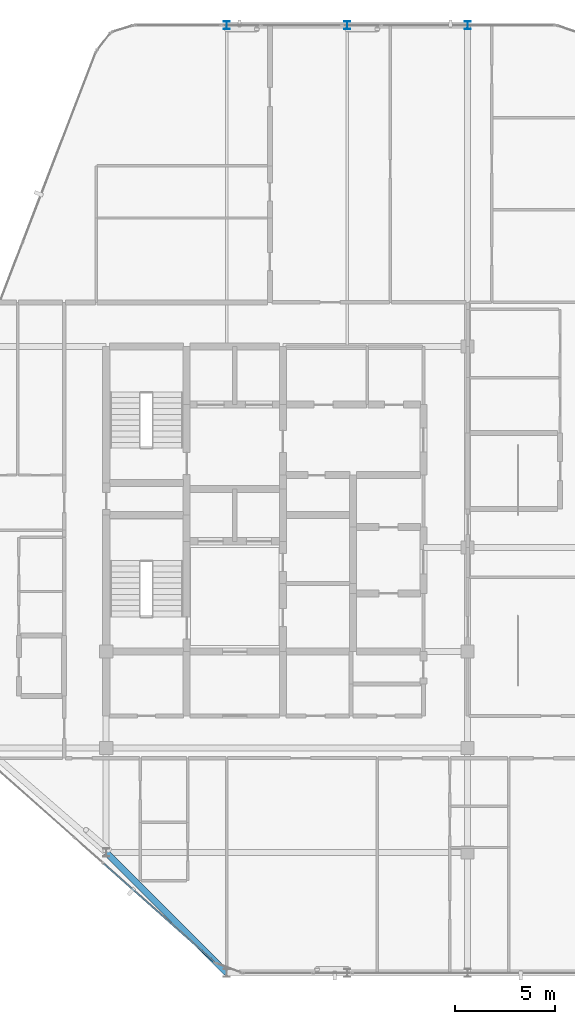
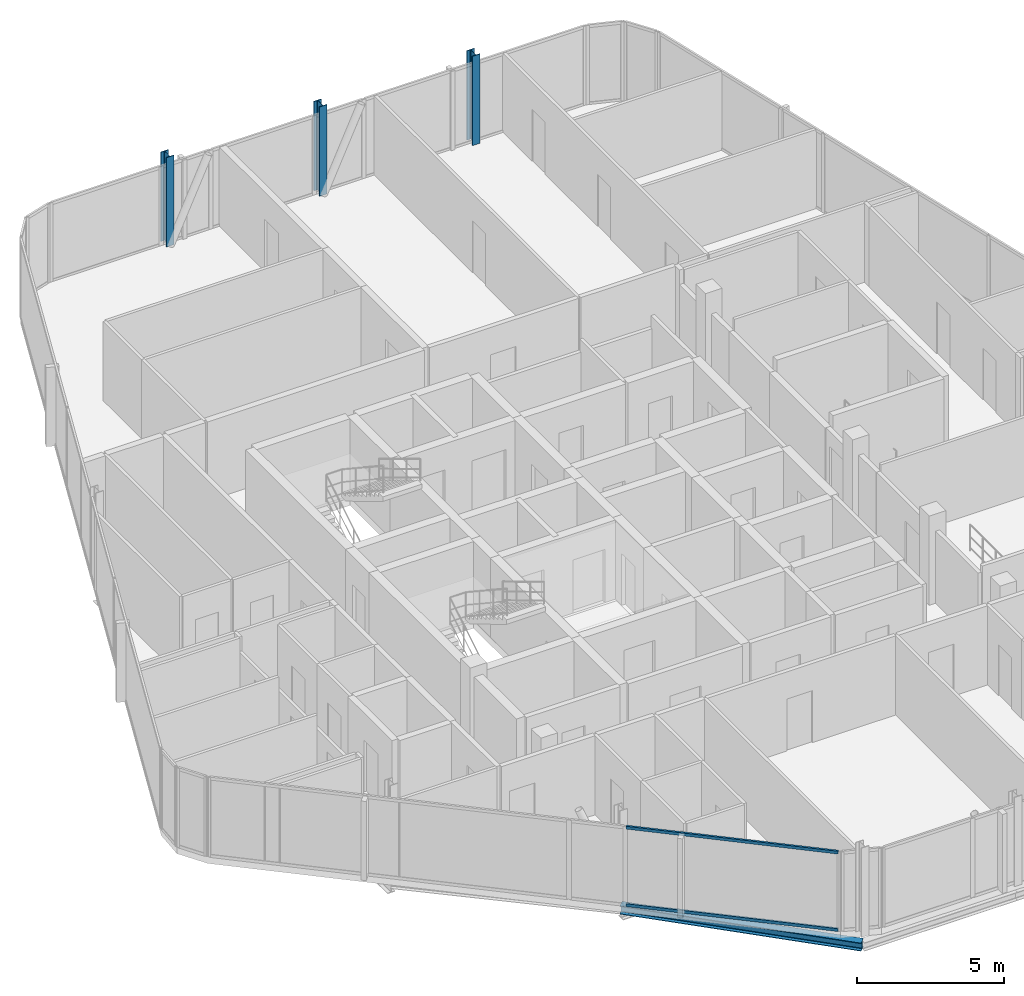
# One storey, part 2 of 27: 3 columns, 2 members, 1 beam, 1 element without a shape of its own.
"""IFC4 building model written with IfcOpenShell, lengths in metres."""

from ifc_helpers import new_model, si_unit, direction, frame, origin, origin_2d, place, context, subcontext, project, spatial, hollow_rectangle, i_section, extrude, material, layer, layer_set, material_profile, profile_set, type_object, element, aggregate, save


model = new_model("IFC4")

# Units and contexts
model_context = context("Model", 3, precision=1e-05, world=origin(), true_north=direction((0.0, 1.0)))
body_context = subcontext(model_context, "Body", "Model", "MODEL_VIEW")
ifc_project = project(units=[si_unit("LENGTHUNIT", "METRE"), si_unit("AREAUNIT", "SQUARE_METRE"), si_unit("VOLUMEUNIT", "CUBIC_METRE"), si_unit("PLANEANGLEUNIT", "RADIAN"), si_unit("MASSUNIT", "GRAM", prefix="KILO")], contexts=[model_context])

# Site, building, storey
site_placement = place(None, origin())
site = spatial("IfcSite", under=ifc_project, at=site_placement, CompositionType="ELEMENT")
building_placement = place(site_placement, origin())
building = spatial("IfcBuilding", under=site, at=building_placement, Name="Keshet Zoharim Tower", CompositionType="ELEMENT")
storey_placement = place(building_placement, frame((0.0, 0.0, 311.0)))
storey = spatial("IfcBuildingStorey", under=building, at=storey_placement, Name="L78", CompositionType="ELEMENT", Elevation=311.0)

# Columns
ifc_material_1 = material(Name="Steel S355", Category="steel")
ifc_material_profile_1 = material_profile(ifc_material_1, i_section(OverallWidth=0.300048828125, OverallDepth=0.39990234375, WebThickness=0.013427734375, FlangeThickness=0.02392578125, FilletRadius=0.027099609375, at=origin_2d()), Name="HEB400")
ifc_profile_set_1 = profile_set([ifc_material_profile_1], Name="Steel S355")
column_type = type_object("IfcColumnType", Name="COL-HEB400", PredefinedType="COLUMN", material=ifc_profile_set_1)
for number, where, z_axis, x_axis, name in (
    (1, (21.0, 53.89990234375, 0.0), (0.0, 0.0, 1.0), (1.0, 0.0, 0.0), "L78 Column 4L"),
    (2, (27.0, 53.89990234375, 0.0), (0.0, 0.0, 1.0), (1.0, 0.0, 0.0), "L78 Column 5L"),
    (3, (33.0, 53.89990234375, 0.0), (0.0, 0.0, 1.0), (1.0, 0.0, 0.0), "L78 Column 6L"),
):
    element("IfcColumn", number, at=place(storey_placement, frame(where, z_axis=z_axis, x_axis=x_axis)), inside=storey, type_object=column_type, Name=name, PredefinedType="COLUMN", context=body_context, shape_type="SweptSolid", body=[
        extrude(i_section(OverallWidth=0.300048828125, OverallDepth=0.39990234375, WebThickness=0.013427734375, FlangeThickness=0.02392578125, FilletRadius=0.027099609375, at=origin_2d()), origin(), (0.0, 0.0, 1.0), 3.699951171875),
    ])

# Beam
ifc_material_profile_2 = material_profile(ifc_material_1, i_section(OverallWidth=0.300048828125, OverallDepth=0.340087890625, WebThickness=0.011962890625, FlangeThickness=0.021484375, FilletRadius=0.027099609375, at=origin_2d()), Name="HEB340")
ifc_profile_set_2 = profile_set([ifc_material_profile_2], Name="Steel S355")
beam_type = type_object("IfcBeamType", Name="BM-SPN-HB340", PredefinedType="SPANDREL", material=ifc_profile_set_2)
beam_placement = place(storey_placement, frame((21.0, 6.699951171875, -0.47998046875), z_axis=(-0.707106781187, 0.707106781187, 0.0), x_axis=(-0.707106781187, -0.707106781187, 0.0)))
element("IfcBeam", 4, at=beam_placement, inside=storey, type_object=beam_type, Name="L78 Perimeter Spandrel Beam 01", PredefinedType="SPANDREL", context=body_context, shape_type="SweptSolid", body=[
    extrude(i_section(OverallWidth=0.300048828125, OverallDepth=0.340087890625, WebThickness=0.011962890625, FlangeThickness=0.021484375, FilletRadius=0.027099609375, at=origin_2d()), origin(), (0.0, 0.0, 1.0), 8.4853515625),
])

# Curtain wall, members
ifc_material_2 = material(Name="Aluminium 6063-T6", Category="aluminium")
ifc_layer = layer(ifc_material_2, 0.260009765625)
ifc_layer_set = layer_set([ifc_layer], Name="Aluminium 6063-T6")
curtain_wall_type = type_object("IfcCurtainWallType", Name="CW-SYS-06", PredefinedType="NOTDEFINED", material=ifc_layer_set)
curtain_wall_placement = place(storey_placement, origin())
curtain_wall = element("IfcCurtainWall", 5, at=curtain_wall_placement, inside=storey, type_object=curtain_wall_type, Name="L78 Unitised Curtain Wall 16", PredefinedType="NOTDEFINED")
ifc_material_profile_3 = material_profile(ifc_material_2, hollow_rectangle(XDim=0.074951171875, YDim=0.1201171875, WallThickness=0.00390625, at=origin_2d()), Name="TRN-75x120")
ifc_profile_set_3 = profile_set([ifc_material_profile_3], Name="Aluminium 6063-T6")
member_type = type_object("IfcMemberType", Name="CWT-T12", PredefinedType="USERDEFINED", material=ifc_profile_set_3)
member_1_placement = place(storey_placement, frame((20.379638671875, 7.25146484375, 0.034912109375), z_axis=(-0.747409318684, 0.66436383883, 0.0), x_axis=(-0.66436383883, -0.747409318684, 0.0)))
member_1 = element("IfcMember", 6, at=member_1_placement, type_object=member_type, Name="CW-06 transom 1.1", ObjectType="TRANSOM", PredefinedType="USERDEFINED", context=body_context, shape_type="SweptSolid", body=[
    extrude(hollow_rectangle(XDim=0.074951171875, YDim=0.1201171875, WallThickness=0.00390625, at=origin_2d()), origin(), (0.0, 0.0, 1.0), 7.3466796875),
])
member_2_placement = place(storey_placement, frame((20.379638671875, 7.25146484375, 3.2451171875), z_axis=(-0.747409318684, 0.66436383883, 0.0), x_axis=(-0.66436383883, -0.747409318684, 0.0)))
member_2 = element("IfcMember", 7, at=member_2_placement, type_object=member_type, Name="CW-06 transom 1.2", ObjectType="TRANSOM", PredefinedType="USERDEFINED", context=body_context, shape_type="SweptSolid", body=[
    extrude(hollow_rectangle(XDim=0.074951171875, YDim=0.1201171875, WallThickness=0.00390625, at=origin_2d()), origin(), (0.0, 0.0, 1.0), 7.3466796875),
])
aggregate(curtain_wall, [member_1, member_2])

save(model, "model.ifc")
